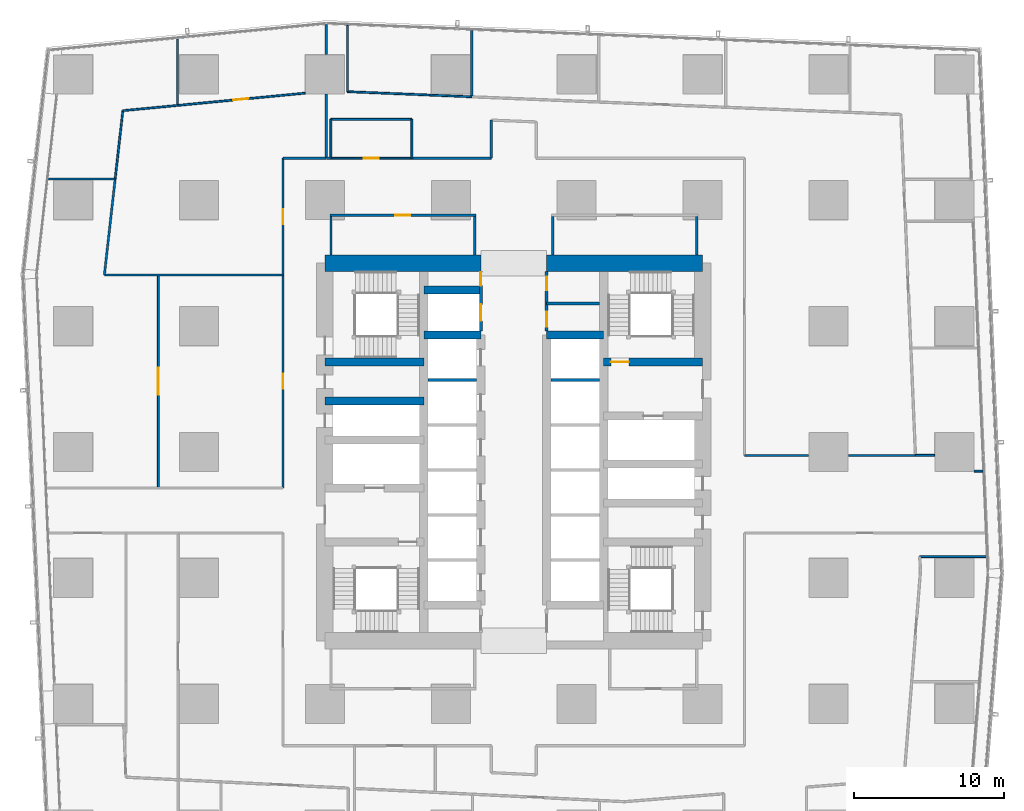
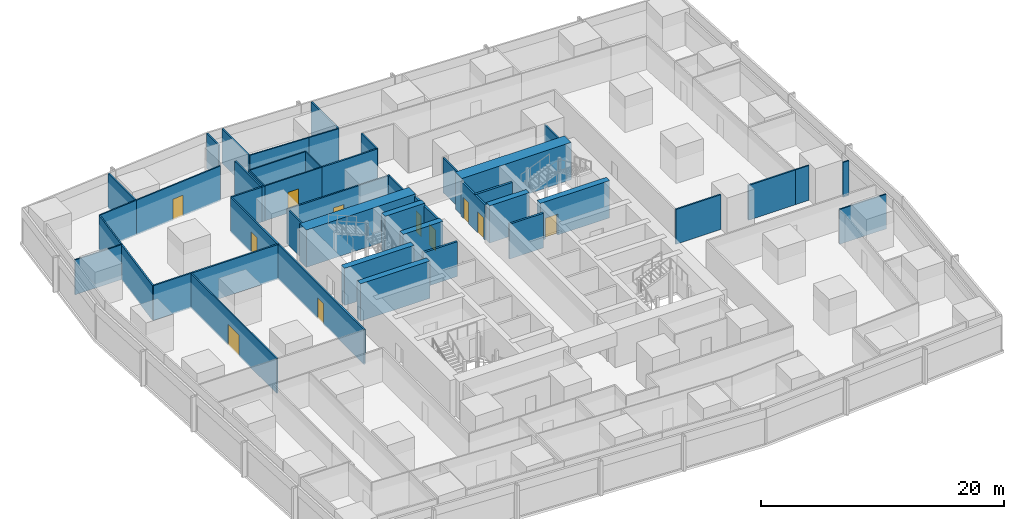
# One storey, part 36 of 46: 47 walls, 11 doors, 11 openings.
"""IFC4 building model written with IfcOpenShell, lengths in metres."""

from ifc_helpers import new_model, si_unit, direction, frame, frame_2d, origin, place, context, subcontext, project, spatial, rectangle, extrude, material, layer, layer_set, type_object, element, fill, save


model = new_model("IFC4")

# Units and contexts
model_context = context("Model", 3, precision=1e-05, world=origin(), true_north=direction((0.0, 1.0)))
body_context = subcontext(model_context, "Body", "Model", "MODEL_VIEW")
ifc_project = project(units=[si_unit("LENGTHUNIT", "METRE"), si_unit("AREAUNIT", "SQUARE_METRE"), si_unit("VOLUMEUNIT", "CUBIC_METRE"), si_unit("PLANEANGLEUNIT", "RADIAN"), si_unit("MASSUNIT", "GRAM", prefix="KILO")], contexts=[model_context])

# Site, building, storey
site_placement = place(None, origin())
site = spatial("IfcSite", under=ifc_project, at=site_placement, CompositionType="ELEMENT")
building_placement = place(site_placement, origin())
building = spatial("IfcBuilding", under=site, at=building_placement, Name="Rekha Terrace Tower", CompositionType="ELEMENT")
storey_placement = place(building_placement, frame((0.0, 0.0, 29.14990234375)))
storey = spatial("IfcBuildingStorey", under=building, at=storey_placement, Name="L06", CompositionType="ELEMENT", Elevation=29.14990234375)

# Walls
ifc_material_1 = material(Name="Concrete M70", Category="concrete")
ifc_layer_1 = layer(ifc_material_1, 0.550048828125)
ifc_layer_set_1 = layer_set([ifc_layer_1], Name="Concrete M70")
wall_type_1 = type_object("IfcWallType", Name="CI1 550 core internal shear wall", PredefinedType="SHEAR", material=ifc_layer_set_1)
for number, where, z_axis, x_axis, name in (
    (1, (31.800048828125, 41.39990234375, 0.0), (0.0, 0.0, 1.0), (1.0, 0.0, 0.0), "Core wall Y414W L06"),
    (2, (31.800048828125, 44.39990234375, 0.0), (0.0, 0.0, 1.0), (1.0, 0.0, 0.0), "Core wall Y444W L06"),
    (3, (40.0, 41.39990234375, 0.0), (0.0, 0.0, 1.0), (1.0, 0.0, 0.0), "Core wall Y414E L06"),
):
    element("IfcWall", number, at=place(storey_placement, frame(where, z_axis=z_axis, x_axis=x_axis)), inside=storey, type_object=wall_type_1, Name=name, PredefinedType="SHEAR", context=body_context, shape_type="SweptSolid", body=[
        extrude(rectangle(XDim=3.800048828125, YDim=0.550048828125, at=frame_2d((1.89990234375, 0.0))), origin(), (0.0, 0.0, 1.0), 3.75),
    ])
for number, where, z_axis, x_axis, name in (
    (4, (25.199951171875, 37.0, 0.0), (0.0, 0.0, 1.0), (1.0, 0.0, 0.0), "Core wall Y370W L06"),
    (5, (25.199951171875, 39.60009765625, 0.0), (0.0, 0.0, 1.0), (1.0, 0.0, 0.0), "Core wall Y396W L06"),
):
    element("IfcWall", number, at=place(storey_placement, frame(where, z_axis=z_axis, x_axis=x_axis)), inside=storey, type_object=wall_type_1, Name=name, PredefinedType="SHEAR", context=body_context, shape_type="SweptSolid", body=[
        extrude(rectangle(XDim=6.60009765625, YDim=0.550048828125, at=frame_2d((3.300048828125, 0.0))), origin(), (0.0, 0.0, 1.0), 3.75),
    ])

# Wall, opening, door
wall_1_placement = place(storey_placement, frame((43.800048828125, 39.60009765625, 0.0), z_axis=(0.0, 0.0, 1.0), x_axis=(1.0, 0.0, 0.0)))
wall_1 = element("IfcWall", 6, at=wall_1_placement, inside=storey, type_object=wall_type_1, Name="Core wall Y396E L06", PredefinedType="SHEAR", context=body_context, shape_type="SweptSolid", body=[
    extrude(rectangle(XDim=6.599853515625, YDim=0.550048828125, at=frame_2d((3.2998046875, 0.0))), origin(), (0.0, 0.0, 1.0), 3.75),
])
opening_1_placement = place(wall_1_placement, frame((0.47509765625, 0.0, 0.0)))
opening_1 = element("IfcOpeningElement", 7, at=opening_1_placement, cuts=wall_1, Name="Opening D1", PredefinedType="OPENING", context=body_context, shape_type="SweptSolid", body=[
    extrude(rectangle(XDim=1.199951171875, YDim=2.10009765625, at=frame_2d((0.60009765625, 1.050048828125))), frame((0.0, 0.284912109375, 0.0), z_axis=(0.0, -1.0, 0.0), x_axis=(1.0, 0.0, 0.0)), (0.0, 0.0, 1.0), 0.570068359375),
])
ifc_material_2 = material(Name="Steel fire door", Category="steel")
door_type_1 = type_object("IfcDoorType", Name="D1 1200x2100 stair fire door", OperationType="SINGLE_SWING_RIGHT", PredefinedType="DOOR", material=ifc_material_2)
door_1_placement = place(opening_1_placement, origin())
door_1 = element("IfcDoor", 8, at=door_1_placement, inside=storey, type_object=door_type_1, Name="Stair ST2 door L06", OperationType="SINGLE_SWING_RIGHT", OverallHeight=2.10009765625, OverallWidth=1.199951171875, PredefinedType="DOOR", context=body_context, shape_type="SweptSolid", body=[
    extrude(rectangle(XDim=1.199951171875, YDim=2.10009765625, at=frame_2d((0.60009765625, 1.050048828125))), frame((0.0, 0.02490234375, 0.0), z_axis=(0.0, -1.0, 0.0), x_axis=(1.0, 0.0, 0.0)), (0.0, 0.0, 1.0), 0.050048828125),
])
fill(opening_1, door_1)

# Walls
ifc_layer_2 = layer(ifc_material_1, 1.10009765625)
ifc_layer_set_2 = layer_set([ifc_layer_2], Name="Concrete M70")
wall_type_2 = type_object("IfcWallType", Name="SW1 1100 core outer shear wall", PredefinedType="SHEAR", material=ifc_layer_set_2)
wall_2_placement = place(storey_placement, frame((25.199951171875, 46.199951171875, 0.0), z_axis=(0.0, 0.0, 1.0), x_axis=(1.0, 0.0, 0.0)))
element("IfcWall", 9, at=wall_2_placement, inside=storey, type_object=wall_type_2, Name="Core wall N1 L06", PredefinedType="SHEAR", context=body_context, shape_type="SweptSolid", body=[
    extrude(rectangle(XDim=10.400146484375, YDim=1.10009765625, at=frame_2d((5.2001953125, 0.0))), origin(), (0.0, 0.0, 1.0), 3.75),
])
wall_3_placement = place(storey_placement, frame((40.0, 46.199951171875, 0.0), z_axis=(0.0, 0.0, 1.0), x_axis=(1.0, 0.0, 0.0)))
element("IfcWall", 10, at=wall_3_placement, inside=storey, type_object=wall_type_2, Name="Core wall N2 L06", PredefinedType="SHEAR", context=body_context, shape_type="SweptSolid", body=[
    extrude(rectangle(XDim=10.39990234375, YDim=1.10009765625, at=frame_2d((5.199951171875, 0.0))), origin(), (0.0, 0.0, 1.0), 3.75),
])
ifc_material_3 = material(Name="Concrete block masonry, 1 hour", Category="masonry")
ifc_layer_3 = layer(ifc_material_3, 0.14990234375)
ifc_layer_set_3 = layer_set([ifc_layer_3], Name="Concrete block masonry, 1 hour")
wall_type_3 = type_object("IfcWallType", Name="WP2 150 tenancy partition", PredefinedType="PARTITIONING", material=ifc_layer_set_3)
for number, where, z_axis, x_axis, name in (
    (11, (40.39990234375, 46.75, 0.0), (0.0, 0.0, 1.0), (0.0, 1.0, 0.0), "Women's WC wall L06"),
    (12, (50.0, 46.75, 0.0), (0.0, 0.0, 1.0), (0.0, 1.0, 0.0), "Women's WC wall L06"),
):
    element("IfcWall", number, at=place(storey_placement, frame(where, z_axis=z_axis, x_axis=x_axis)), inside=storey, type_object=wall_type_3, Name=name, PredefinedType="PARTITIONING", context=body_context, shape_type="SweptSolid", body=[
        extrude(rectangle(XDim=2.574951171875, YDim=0.14990234375, at=frame_2d((1.28759765625, 0.0))), origin(), (0.0, 0.0, 1.0), 3.5),
    ])

# Wall, opening, door
wall_4_placement = place(storey_placement, frame((25.52490234375, 49.39990234375, 0.0), z_axis=(0.0, 0.0, 1.0), x_axis=(1.0, 0.0, 0.0)))
wall_4 = element("IfcWall", 13, at=wall_4_placement, inside=storey, type_object=wall_type_3, Name="Women's WC wall L06", PredefinedType="PARTITIONING", context=body_context, shape_type="SweptSolid", body=[
    extrude(rectangle(XDim=9.75, YDim=0.14990234375, at=frame_2d((4.875, 0.0))), origin(), (0.0, 0.0, 1.0), 3.5),
])
opening_2_placement = place(wall_4_placement, frame((4.375, 0.0, 0.0)))
opening_2 = element("IfcOpeningElement", 14, at=opening_2_placement, cuts=wall_4, Name="Opening D3", PredefinedType="OPENING", context=body_context, shape_type="SweptSolid", body=[
    extrude(rectangle(XDim=1.0, YDim=2.10009765625, at=frame_2d((0.5, 1.050048828125))), frame((0.0, 0.0849609375, 0.0), z_axis=(0.0, -1.0, 0.0), x_axis=(1.0, 0.0, 0.0)), (0.0, 0.0, 1.0), 0.169921875),
])
ifc_material_4 = material(Name="Laminated timber fire door", Category="wood")
door_type_2 = type_object("IfcDoorType", Name="D3 1000x2100 WC door", OperationType="SINGLE_SWING_LEFT", PredefinedType="DOOR", material=ifc_material_4)
door_2_placement = place(opening_2_placement, origin())
door_2 = element("IfcDoor", 15, at=door_2_placement, inside=storey, type_object=door_type_2, Name="Door women's wc L06", OperationType="SINGLE_SWING_LEFT", OverallHeight=2.10009765625, OverallWidth=1.0, PredefinedType="DOOR", context=body_context, shape_type="SweptSolid", body=[
    extrude(rectangle(XDim=1.0, YDim=2.10009765625, at=frame_2d((0.5, 1.050048828125))), frame((0.0, 0.02490234375, 0.0), z_axis=(0.0, -1.0, 0.0), x_axis=(1.0, 0.0, 0.0)), (0.0, 0.0, 1.0), 0.050048828125),
])
fill(opening_2, door_2)

# Walls
for number, where, z_axis, x_axis, name in (
    (16, (25.60009765625, 46.75, 0.0), (0.0, 0.0, 1.0), (0.0, 1.0, 0.0), "Women's WC wall L06"),
    (17, (35.199951171875, 46.75, 0.0), (0.0, 0.0, 1.0), (0.0, 1.0, 0.0), "Women's WC wall L06"),
):
    element("IfcWall", number, at=place(storey_placement, frame(where, z_axis=z_axis, x_axis=x_axis)), inside=storey, type_object=wall_type_3, Name=name, PredefinedType="PARTITIONING", context=body_context, shape_type="SweptSolid", body=[
        extrude(rectangle(XDim=2.574951171875, YDim=0.14990234375, at=frame_2d((1.28759765625, 0.0))), origin(), (0.0, 0.0, 1.0), 3.5),
    ])
wall_5_placement = place(storey_placement, frame((36.300048828125, 55.742919921875, 0.0), z_axis=(0.0, 0.0, 1.0), x_axis=(0.0, -1.0, 0.0)))
element("IfcWall", 18, at=wall_5_placement, inside=storey, type_object=wall_type_3, Name="Partition L06-O2", PredefinedType="PARTITIONING", context=body_context, shape_type="SweptSolid", body=[
    extrude(rectangle(XDim=2.54296875, YDim=0.14990234375, at=frame_2d((1.271484375, 0.0))), origin(), (0.0, 0.0, 1.0), 3.5),
])
wall_6_placement = place(storey_placement, frame((36.300048828125, 53.199951171875, 0.0), z_axis=(0.0, 0.0, 1.0), x_axis=(-1.0, 0.0, 0.0)))
element("IfcWall", 19, at=wall_6_placement, inside=storey, type_object=wall_type_3, Name="Partition L06-O2", PredefinedType="PARTITIONING", context=body_context, shape_type="SweptSolid", body=[
    extrude(rectangle(XDim=5.300048828125, YDim=0.14990234375, at=frame_2d((2.64990234375, 0.0))), origin(), (0.0, 0.0, 1.0), 3.5),
])
wall_7_placement = place(storey_placement, frame((25.60009765625, 53.199951171875, 0.0), z_axis=(0.0, 0.0, 1.0), x_axis=(-1.0, 0.0, 0.0)))
element("IfcWall", 20, at=wall_7_placement, inside=storey, type_object=wall_type_3, Name="Partition L06-O2", PredefinedType="PARTITIONING", context=body_context, shape_type="SweptSolid", body=[
    extrude(rectangle(XDim=0.30908203125, YDim=0.14990234375, at=frame_2d((0.154541015625, 0.0))), origin(), (0.0, 0.0, 1.0), 3.5),
])
wall_8_placement = place(storey_placement, frame((25.291015625, 53.199951171875, 0.0), z_axis=(0.0, 0.0, 1.0), x_axis=(0.0, 1.0, 0.0)))
element("IfcWall", 21, at=wall_8_placement, inside=storey, type_object=wall_type_3, Name="Partition L06-O2", PredefinedType="PARTITIONING", context=body_context, shape_type="SweptSolid", body=[
    extrude(rectangle(XDim=4.280029296875, YDim=0.14990234375, at=frame_2d((2.14013671875, 0.0))), origin(), (0.0, 0.0, 1.0), 3.5),
])
wall_9_placement = place(storey_placement, frame((25.291015625, 60.1201171875, 0.0), z_axis=(0.0, 0.0, 1.0), x_axis=(0.0, 1.0, 0.0)))
element("IfcWall", 22, at=wall_9_placement, inside=storey, type_object=wall_type_3, Name="Partition L06-O2", PredefinedType="PARTITIONING", context=body_context, shape_type="SweptSolid", body=[
    extrude(rectangle(XDim=1.995849609375, YDim=0.14990234375, at=frame_2d((0.998046875, 0.0))), origin(), (0.0, 0.0, 1.0), 3.5),
])
wall_10_placement = place(storey_placement, frame((34.9990234375, 57.360107421875, 0.0), z_axis=(0.0, 0.0, 1.0), x_axis=(0.0, 1.0, 0.0)))
element("IfcWall", 23, at=wall_10_placement, inside=storey, type_object=wall_type_3, Name="Partition L06-O2", PredefinedType="PARTITIONING", context=body_context, shape_type="SweptSolid", body=[
    extrude(rectangle(XDim=4.36083984375, YDim=0.14990234375, at=frame_2d((2.180419921875, 0.0))), origin(), (0.0, 0.0, 1.0), 3.5),
])
wall_11_placement = place(storey_placement, frame((64.597900390625, 33.3720703125, 0.0), z_axis=(0.0, 0.0, 1.0), x_axis=(-1.0, 0.0, 0.0)))
element("IfcWall", 24, at=wall_11_placement, inside=storey, type_object=wall_type_3, Name="Partition L06-O2", PredefinedType="PARTITIONING", context=body_context, shape_type="SweptSolid", body=[
    extrude(rectangle(XDim=4.477783203125, YDim=0.14990234375, at=frame_2d((2.23876953125, 0.0))), origin(), (0.0, 0.0, 1.0), 3.5),
])
wall_12_placement = place(storey_placement, frame((57.47998046875, 33.3720703125, 0.0), z_axis=(0.0, 0.0, 1.0), x_axis=(-1.0, 0.0, 0.0)))
element("IfcWall", 25, at=wall_12_placement, inside=storey, type_object=wall_type_3, Name="Partition L06-O2", PredefinedType="PARTITIONING", context=body_context, shape_type="SweptSolid", body=[
    extrude(rectangle(XDim=4.280029296875, YDim=0.14990234375, at=frame_2d((2.14013671875, 0.0))), origin(), (0.0, 0.0, 1.0), 3.5),
])
wall_13_placement = place(storey_placement, frame((10.488037109375, 45.412109375, 0.0), z_axis=(0.0, 0.0, 1.0), x_axis=(0.111741452635, 0.993737313259, 0.0)))
element("IfcWall", 26, at=wall_13_placement, inside=storey, type_object=wall_type_3, Name="Partition L06-O3", PredefinedType="PARTITIONING", context=body_context, shape_type="SweptSolid", body=[
    extrude(rectangle(XDim=6.443115234375, YDim=0.14990234375, at=frame_2d((3.2216796875, 0.0))), origin(), (0.0, 0.0, 1.0), 3.5),
])
wall_14_placement = place(storey_placement, frame((15.3740234375, 56.73193359375, 0.0), z_axis=(0.0, 0.0, 1.0), x_axis=(0.0, 1.0, 0.0)))
element("IfcWall", 27, at=wall_14_placement, inside=storey, type_object=wall_type_3, Name="Partition L06-O3", PredefinedType="PARTITIONING", context=body_context, shape_type="SweptSolid", body=[
    extrude(rectangle(XDim=4.43115234375, YDim=0.14990234375, at=frame_2d((2.215576171875, 0.0))), origin(), (0.0, 0.0, 1.0), 3.5),
])
wall_15_placement = place(storey_placement, frame((25.2900390625, 53.199951171875, 0.0), z_axis=(0.0, 0.0, 1.0), x_axis=(-1.0, 0.0, 0.0)))
element("IfcWall", 28, at=wall_15_placement, inside=storey, type_object=wall_type_3, Name="Partition L06-O3", PredefinedType="PARTITIONING", context=body_context, shape_type="SweptSolid", body=[
    extrude(rectangle(XDim=2.89013671875, YDim=0.14990234375, at=frame_2d((1.445068359375, 0.0))), origin(), (0.0, 0.0, 1.0), 3.5),
])

# Wall, opening, door
wall_16_placement = place(storey_placement, frame((22.39990234375, 53.199951171875, 0.0), z_axis=(0.0, 0.0, 1.0), x_axis=(0.0, -1.0, 0.0)))
wall_16 = element("IfcWall", 29, at=wall_16_placement, inside=storey, type_object=wall_type_3, Name="Partition L06-O3", PredefinedType="PARTITIONING", context=body_context, shape_type="SweptSolid", body=[
    extrude(rectangle(XDim=7.787841796875, YDim=0.14990234375, at=frame_2d((3.89404296875, 0.0))), origin(), (0.0, 0.0, 1.0), 3.5),
])
opening_3_placement = place(wall_16_placement, frame((3.39404296875, 0.0, 0.0)))
opening_3 = element("IfcOpeningElement", 30, at=opening_3_placement, cuts=wall_16, Name="Opening D9", PredefinedType="OPENING", context=body_context, shape_type="SweptSolid", body=[
    extrude(rectangle(XDim=1.0, YDim=2.10009765625, at=frame_2d((0.5, 1.050048828125))), frame((0.0, 0.0849609375, 0.0), z_axis=(0.0, -1.0, 0.0), x_axis=(1.0, 0.0, 0.0)), (0.0, 0.0, 1.0), 0.169921875),
])
ifc_material_5 = material(Name="Timber fire door", Category="wood")
door_type_3 = type_object("IfcDoorType", Name="D9 1000x2100 office door", OperationType="SINGLE_SWING_LEFT", PredefinedType="DOOR", material=ifc_material_5)
door_3_placement = place(opening_3_placement, origin())
door_3 = element("IfcDoor", 31, at=door_3_placement, inside=storey, type_object=door_type_3, Name="Door open-plan office L06", OperationType="SINGLE_SWING_LEFT", OverallHeight=2.10009765625, OverallWidth=1.0, PredefinedType="DOOR", context=body_context, shape_type="SweptSolid", body=[
    extrude(rectangle(XDim=1.0, YDim=2.10009765625, at=frame_2d((0.5, 1.050048828125))), frame((0.0, 0.02490234375, 0.0), z_axis=(0.0, -1.0, 0.0), x_axis=(1.0, 0.0, 0.0)), (0.0, 0.0, 1.0), 0.050048828125),
])
fill(opening_3, door_3)

# Wall
wall_17_placement = place(storey_placement, frame((22.39990234375, 45.412109375, 0.0), z_axis=(0.0, 0.0, 1.0), x_axis=(-1.0, 0.0, 0.0)))
element("IfcWall", 32, at=wall_17_placement, inside=storey, type_object=wall_type_3, Name="Partition L06-O3", PredefinedType="PARTITIONING", context=body_context, shape_type="SweptSolid", body=[
    extrude(rectangle(XDim=11.911865234375, YDim=0.14990234375, at=frame_2d((5.9560546875, 0.0))), origin(), (0.0, 0.0, 1.0), 3.5),
])

# Wall, opening, door
wall_18_placement = place(storey_placement, frame((22.39990234375, 45.410888671875, 0.0), z_axis=(0.0, 0.0, 1.0), x_axis=(0.0, -1.0, 0.0)))
wall_18 = element("IfcWall", 33, at=wall_18_placement, inside=storey, type_object=wall_type_3, Name="Partition L06-O4", PredefinedType="PARTITIONING", context=body_context, shape_type="SweptSolid", body=[
    extrude(rectangle(XDim=14.2109375, YDim=0.14990234375, at=frame_2d((7.10546875, 0.0))), origin(), (0.0, 0.0, 1.0), 3.5),
])
opening_4_placement = place(wall_18_placement, frame((6.60595703125, 0.0, 0.0)))
opening_4 = element("IfcOpeningElement", 34, at=opening_4_placement, cuts=wall_18, Name="Opening D9", PredefinedType="OPENING", context=body_context, shape_type="SweptSolid", body=[
    extrude(rectangle(XDim=1.0, YDim=2.10009765625, at=frame_2d((0.5, 1.050048828125))), frame((0.0, 0.0849609375, 0.0), z_axis=(0.0, -1.0, 0.0), x_axis=(1.0, 0.0, 0.0)), (0.0, 0.0, 1.0), 0.169921875),
])
door_4_placement = place(opening_4_placement, origin())
door_4 = element("IfcDoor", 35, at=door_4_placement, inside=storey, type_object=door_type_3, Name="Door open-plan office L06", OperationType="SINGLE_SWING_LEFT", OverallHeight=2.10009765625, OverallWidth=1.0, PredefinedType="DOOR", context=body_context, shape_type="SweptSolid", body=[
    extrude(rectangle(XDim=1.0, YDim=2.10009765625, at=frame_2d((0.5, 1.050048828125))), frame((0.0, 0.02490234375, 0.0), z_axis=(0.0, -1.0, 0.0), x_axis=(1.0, 0.0, 0.0)), (0.0, 0.0, 1.0), 0.050048828125),
])
fill(opening_4, door_4)

# Walls
ifc_material_6 = material(Name="Two layers of fire-rated gypsum board each side on steel studs, acoustic quilt, 1 hour", Category="steel")
ifc_layer_4 = layer(ifc_material_6, 0.125)
ifc_layer_set_4 = layer_set([ifc_layer_4], Name="Two layers of fire-rated gypsum board each side on steel studs, acoustic quilt, 1 hour")
wall_type_4 = type_object("IfcWallType", Name="WP3 125 office partition", PredefinedType="PARTITIONING", material=ifc_layer_set_4)
wall_19_placement = place(storey_placement, frame((64.886962890625, 26.6201171875, 0.0), z_axis=(0.0, 0.0, 1.0), x_axis=(1.0, 0.0, 0.0)))
element("IfcWall", 36, at=wall_19_placement, inside=storey, type_object=wall_type_4, Name="Partition L06-02", PredefinedType="PARTITIONING", context=body_context, shape_type="SweptSolid", body=[
    extrude(rectangle(XDim=4.4541015625, YDim=0.125, at=frame_2d((2.22705078125, 0.0))), origin(), (0.0, 0.0, 1.0), 3.5),
])
wall_20_placement = place(storey_placement, frame((69.096923828125, 32.324951171875, 0.0), z_axis=(0.0, 0.0, 1.0), x_axis=(-1.0, 0.0, 0.0)))
element("IfcWall", 37, at=wall_20_placement, inside=storey, type_object=wall_type_4, Name="Partition L06-05", PredefinedType="PARTITIONING", context=body_context, shape_type="SweptSolid", body=[
    extrude(rectangle(XDim=0.576904296875, YDim=0.125, at=frame_2d((0.28857421875, 0.0))), origin(), (0.0, 0.0, 1.0), 3.5),
])
wall_21_placement = place(storey_placement, frame((65.8798828125, 33.3720703125, 0.0), z_axis=(0.0, 0.0, 1.0), x_axis=(-1.0, 0.0, 0.0)))
element("IfcWall", 38, at=wall_21_placement, inside=storey, type_object=wall_type_4, Name="Partition L06-05", PredefinedType="PARTITIONING", context=body_context, shape_type="SweptSolid", body=[
    extrude(rectangle(XDim=1.281982421875, YDim=0.125, at=frame_2d((0.64111328125, 0.0))), origin(), (0.0, 0.0, 1.0), 3.5),
])
wall_22_placement = place(storey_placement, frame((35.001953125, 57.297119140625, 0.0), z_axis=(0.0, 0.0, 1.0), x_axis=(-0.999152945321, 0.041150842711, 0.0)))
element("IfcWall", 39, at=wall_22_placement, inside=storey, type_object=wall_type_4, Name="Partition L06-07", PredefinedType="PARTITIONING", context=body_context, shape_type="SweptSolid", body=[
    extrude(rectangle(XDim=2.79443359375, YDim=0.125, at=frame_2d((1.397216796875, 0.0))), origin(), (0.0, 0.0, 1.0), 3.5),
])
wall_23_placement = place(storey_placement, frame((32.2099609375, 57.412109375, 0.0), z_axis=(0.0, 0.0, 1.0), x_axis=(-0.999151115362, 0.041195250585, 0.0)))
element("IfcWall", 40, at=wall_23_placement, inside=storey, type_object=wall_type_4, Name="Partition L06-07", PredefinedType="PARTITIONING", context=body_context, shape_type="SweptSolid", body=[
    extrude(rectangle(XDim=5.505615234375, YDim=0.125, at=frame_2d((2.7529296875, 0.0))), origin(), (0.0, 0.0, 1.0), 3.5),
])
wall_24_placement = place(storey_placement, frame((26.708984375, 57.638916015625, 0.0), z_axis=(0.0, 0.0, 1.0), x_axis=(0.0, 1.0, 0.0)))
element("IfcWall", 41, at=wall_24_placement, inside=storey, type_object=wall_type_4, Name="Partition L06-07", PredefinedType="PARTITIONING", context=body_context, shape_type="SweptSolid", body=[
    extrude(rectangle(XDim=4.424072265625, YDim=0.125, at=frame_2d((2.2119140625, 0.0))), origin(), (0.0, 0.0, 1.0), 3.5),
])
wall_25_placement = place(storey_placement, frame((25.60009765625, 55.794921875, 0.0), z_axis=(0.0, 0.0, 1.0), x_axis=(1.0, 0.0, 0.0)))
element("IfcWall", 42, at=wall_25_placement, inside=storey, type_object=wall_type_4, Name="Partition L06-08", PredefinedType="PARTITIONING", context=body_context, shape_type="SweptSolid", body=[
    extrude(rectangle(XDim=5.39990234375, YDim=0.125, at=frame_2d((2.699951171875, 0.0))), origin(), (0.0, 0.0, 1.0), 3.5),
])
wall_26_placement = place(storey_placement, frame((31.0, 55.794921875, 0.0), z_axis=(0.0, 0.0, 1.0), x_axis=(0.0, -1.0, 0.0)))
element("IfcWall", 43, at=wall_26_placement, inside=storey, type_object=wall_type_4, Name="Partition L06-08", PredefinedType="PARTITIONING", context=body_context, shape_type="SweptSolid", body=[
    extrude(rectangle(XDim=2.594970703125, YDim=0.125, at=frame_2d((1.29736328125, 0.0))), origin(), (0.0, 0.0, 1.0), 3.5),
])

# Wall, opening, door
wall_27_placement = place(storey_placement, frame((31.0, 53.199951171875, 0.0), z_axis=(0.0, 0.0, 1.0), x_axis=(-1.0, 0.0, 0.0)))
wall_27 = element("IfcWall", 44, at=wall_27_placement, inside=storey, type_object=wall_type_4, Name="Partition L06-08", PredefinedType="PARTITIONING", context=body_context, shape_type="SweptSolid", body=[
    extrude(rectangle(XDim=5.39990234375, YDim=0.125, at=frame_2d((2.699951171875, 0.0))), origin(), (0.0, 0.0, 1.0), 3.5),
])
opening_5_placement = place(wall_27_placement, frame((2.199951171875, 0.0, 0.0)))
opening_5 = element("IfcOpeningElement", 45, at=opening_5_placement, cuts=wall_27, Name="Opening D9", PredefinedType="OPENING", context=body_context, shape_type="SweptSolid", body=[
    extrude(rectangle(XDim=1.0, YDim=2.10009765625, at=frame_2d((0.5, 1.050048828125))), frame((0.0, 0.072509765625, 0.0), z_axis=(0.0, -1.0, 0.0), x_axis=(1.0, 0.0, 0.0)), (0.0, 0.0, 1.0), 0.14501953125),
])
door_5_placement = place(opening_5_placement, origin())
door_5 = element("IfcDoor", 46, at=door_5_placement, inside=storey, type_object=door_type_3, Name="Door reception L06", OperationType="SINGLE_SWING_LEFT", OverallHeight=2.10009765625, OverallWidth=1.0, PredefinedType="DOOR", context=body_context, shape_type="SweptSolid", body=[
    extrude(rectangle(XDim=1.0, YDim=2.10009765625, at=frame_2d((0.5, 1.050048828125))), frame((0.0, 0.02490234375, 0.0), z_axis=(0.0, -1.0, 0.0), x_axis=(1.0, 0.0, 0.0)), (0.0, 0.0, 1.0), 0.050048828125),
])
fill(opening_5, door_5)

# Walls
wall_28_placement = place(storey_placement, frame((25.60009765625, 53.199951171875, 0.0), z_axis=(0.0, 0.0, 1.0), x_axis=(0.0, 1.0, 0.0)))
element("IfcWall", 47, at=wall_28_placement, inside=storey, type_object=wall_type_4, Name="Partition L06-08", PredefinedType="PARTITIONING", context=body_context, shape_type="SweptSolid", body=[
    extrude(rectangle(XDim=2.594970703125, YDim=0.125, at=frame_2d((1.29736328125, 0.0))), origin(), (0.0, 0.0, 1.0), 3.5),
])
wall_29_placement = place(storey_placement, frame((11.2080078125, 51.81591796875, 0.0), z_axis=(0.0, 0.0, 1.0), x_axis=(-1.0, 0.0, 0.0)))
element("IfcWall", 48, at=wall_29_placement, inside=storey, type_object=wall_type_4, Name="Partition L06-09", PredefinedType="PARTITIONING", context=body_context, shape_type="SweptSolid", body=[
    extrude(rectangle(XDim=4.47900390625, YDim=0.125, at=frame_2d((2.239501953125, 0.0))), origin(), (0.0, 0.0, 1.0), 3.5),
])

# Wall, opening, door
wall_30_placement = place(storey_placement, frame((23.8798828125, 57.541015625, 0.0), z_axis=(0.0, 0.0, 1.0), x_axis=(-0.995394358863, -0.095864854575, 0.0)))
wall_30 = element("IfcWall", 49, at=wall_30_placement, inside=storey, type_object=wall_type_4, Name="Partition L06-09", PredefinedType="PARTITIONING", context=body_context, shape_type="SweptSolid", body=[
    extrude(rectangle(XDim=8.544189453125, YDim=0.125, at=frame_2d((4.27197265625, 0.0))), origin(), (0.0, 0.0, 1.0), 3.5),
])
opening_6_placement = place(wall_30_placement, frame((3.806884765625, 0.0, 0.0)))
opening_6 = element("IfcOpeningElement", 50, at=opening_6_placement, cuts=wall_30, Name="Opening D9", PredefinedType="OPENING", context=body_context, shape_type="SweptSolid", body=[
    extrude(rectangle(XDim=1.0, YDim=2.10009765625, at=frame_2d((0.5, 1.050048828125))), frame((0.0, 0.072509765625, 0.0), z_axis=(0.0, -1.0, 0.0), x_axis=(1.0, 0.0, 0.0)), (0.0, 0.0, 1.0), 0.14501953125),
])
door_6_placement = place(opening_6_placement, origin())
door_6 = element("IfcDoor", 51, at=door_6_placement, inside=storey, type_object=door_type_3, Name="Door manager's office L06", OperationType="SINGLE_SWING_LEFT", OverallHeight=2.10009765625, OverallWidth=1.0, PredefinedType="DOOR", context=body_context, shape_type="SweptSolid", body=[
    extrude(rectangle(XDim=1.0, YDim=2.10009765625, at=frame_2d((0.5, 1.050048828125))), frame((0.0, 0.02490234375, 0.0), z_axis=(0.0, -1.0, 0.0), x_axis=(1.0, 0.0, 0.0)), (0.0, 0.0, 1.0), 0.050048828125),
])
fill(opening_6, door_6)

# Walls
wall_31_placement = place(storey_placement, frame((15.375, 56.721923828125, 0.0), z_axis=(0.0, 0.0, 1.0), x_axis=(-0.995424973889, -0.095546435607, 0.0)))
element("IfcWall", 52, at=wall_31_placement, inside=storey, type_object=wall_type_4, Name="Partition L06-09", PredefinedType="PARTITIONING", context=body_context, shape_type="SweptSolid", body=[
    extrude(rectangle(XDim=3.671875, YDim=0.125, at=frame_2d((1.8359375, 0.0))), origin(), (0.0, 0.0, 1.0), 3.5),
])
wall_32_placement = place(storey_placement, frame((11.719970703125, 56.37109375, 0.0), z_axis=(0.0, 0.0, 1.0), x_axis=(-0.11168826691, -0.993743292322, 0.0)))
element("IfcWall", 53, at=wall_32_placement, inside=storey, type_object=wall_type_4, Name="Partition L06-09", PredefinedType="PARTITIONING", context=body_context, shape_type="SweptSolid", body=[
    extrude(rectangle(XDim=4.583740234375, YDim=0.125, at=frame_2d((2.2919921875, 0.0))), origin(), (0.0, 0.0, 1.0), 3.5),
])

# Wall, opening, door
wall_33_placement = place(storey_placement, frame((14.090087890625, 45.3369140625, 0.0), z_axis=(0.0, 0.0, 1.0), x_axis=(0.0, -1.0, 0.0)))
wall_33 = element("IfcWall", 54, at=wall_33_placement, inside=storey, type_object=wall_type_4, Name="Partition L06-10", PredefinedType="PARTITIONING", context=body_context, shape_type="SweptSolid", body=[
    extrude(rectangle(XDim=14.136962890625, YDim=0.125, at=frame_2d((7.068359375, 0.0))), origin(), (0.0, 0.0, 1.0), 3.5),
])
opening_7_placement = place(wall_33_placement, frame((6.131103515625, 0.0, 0.0)))
opening_7 = element("IfcOpeningElement", 55, at=opening_7_placement, cuts=wall_33, Name="Opening D8", PredefinedType="OPENING", context=body_context, shape_type="SweptSolid", body=[
    extrude(rectangle(XDim=1.800048828125, YDim=2.10009765625, at=frame_2d((0.89990234375, 1.050048828125))), frame((0.0, 0.072509765625, 0.0), z_axis=(0.0, -1.0, 0.0), x_axis=(1.0, 0.0, 0.0)), (0.0, 0.0, 1.0), 0.14501953125),
])
door_type_4 = type_object("IfcDoorType", Name="D8 1800x2100 double leaf door", OperationType="DOUBLE_DOOR_SINGLE_SWING", PredefinedType="DOOR", material=ifc_material_5)
door_7_placement = place(opening_7_placement, origin())
door_7 = element("IfcDoor", 56, at=door_7_placement, inside=storey, type_object=door_type_4, Name="Door print room L06", OperationType="DOUBLE_DOOR_SINGLE_SWING", OverallHeight=2.10009765625, OverallWidth=1.800048828125, PredefinedType="DOOR", context=body_context, shape_type="SweptSolid", body=[
    extrude(rectangle(XDim=1.800048828125, YDim=2.10009765625, at=frame_2d((0.89990234375, 1.050048828125))), frame((0.0, 0.02490234375, 0.0), z_axis=(0.0, -1.0, 0.0), x_axis=(1.0, 0.0, 0.0)), (0.0, 0.0, 1.0), 0.050048828125),
])
fill(opening_7, door_7)

# Walls
ifc_material_7 = material(Name="Solid concrete block masonry, 2 hour", Category="masonry")
ifc_layer_5 = layer(ifc_material_7, 0.199951171875)
ifc_layer_set_5 = layer_set([ifc_layer_5], Name="Solid concrete block masonry, 2 hour")
wall_type_5 = type_object("IfcWallType", Name="WS1 200 stair and shaft enclosure", PredefinedType="PARTITIONING", material=ifc_layer_set_5)
for number, where, z_axis, x_axis, name in (
    (57, (32.074951171875, 38.39990234375, 0.0), (0.0, 0.0, 1.0), (1.0, 0.0, 0.0), "Lift shaft divider L06"),
    (58, (40.27490234375, 38.39990234375, 0.0), (0.0, 0.0, 1.0), (1.0, 0.0, 0.0), "Lift shaft divider L06"),
):
    element("IfcWall", number, at=place(storey_placement, frame(where, z_axis=z_axis, x_axis=x_axis)), inside=storey, type_object=wall_type_5, Name=name, PredefinedType="PARTITIONING", context=body_context, shape_type="SweptSolid", body=[
        extrude(rectangle(XDim=3.25, YDim=0.199951171875, at=frame_2d((1.625, 0.0))), origin(), (0.0, 0.0, 1.0), 3.5),
    ])

# Wall, openings, doors
wall_34_placement = place(storey_placement, frame((40.0, 41.675048828125, 0.0), z_axis=(0.0, 0.0, 1.0), x_axis=(0.0, 1.0, 0.0)))
wall_34 = element("IfcWall", 59, at=wall_34_placement, inside=storey, type_object=wall_type_5, Name="Core partition elec L06", PredefinedType="PARTITIONING", context=body_context, shape_type="SweptSolid", body=[
    extrude(rectangle(XDim=3.974853515625, YDim=0.199951171875, at=frame_2d((1.9873046875, 0.0))), origin(), (0.0, 0.0, 1.0), 3.5),
])
opening_8_placement = place(wall_34_placement, frame((2.72509765625, 0.0, 0.0)))
opening_8 = element("IfcOpeningElement", 60, at=opening_8_placement, cuts=wall_34, Name="Opening D5", PredefinedType="OPENING", context=body_context, shape_type="SweptSolid", body=[
    extrude(rectangle(XDim=0.89990234375, YDim=2.10009765625, at=frame_2d((0.449951171875, 1.050048828125))), frame((0.0, 0.10986328125, 0.0), z_axis=(0.0, -1.0, 0.0), x_axis=(1.0, 0.0, 0.0)), (0.0, 0.0, 1.0), 0.219970703125),
])
opening_9_placement = place(wall_34_placement, frame((0.27490234375, 0.0, 0.0)))
opening_9 = element("IfcOpeningElement", 61, at=opening_9_placement, cuts=wall_34, Name="Opening D9", PredefinedType="OPENING", context=body_context, shape_type="SweptSolid", body=[
    extrude(rectangle(XDim=1.0, YDim=2.10009765625, at=frame_2d((0.5, 1.050048828125))), frame((0.0, 0.10986328125, 0.0), z_axis=(0.0, -1.0, 0.0), x_axis=(1.0, 0.0, 0.0)), (0.0, 0.0, 1.0), 0.219970703125),
])
door_type_5 = type_object("IfcDoorType", Name="D5 900x2100 riser access door", OperationType="SINGLE_SWING_LEFT", PredefinedType="DOOR", material=ifc_material_2)
door_8_placement = place(opening_8_placement, origin())
door_8 = element("IfcDoor", 62, at=door_8_placement, inside=storey, type_object=door_type_5, Name="Door electrical room L06", OperationType="SINGLE_SWING_LEFT", OverallHeight=2.10009765625, OverallWidth=0.89990234375, PredefinedType="DOOR", context=body_context, shape_type="SweptSolid", body=[
    extrude(rectangle(XDim=0.89990234375, YDim=2.10009765625, at=frame_2d((0.449951171875, 1.050048828125))), frame((0.0, 0.02490234375, 0.0), z_axis=(0.0, -1.0, 0.0), x_axis=(1.0, 0.0, 0.0)), (0.0, 0.0, 1.0), 0.050048828125),
])
fill(opening_8, door_8)
door_9_placement = place(opening_9_placement, origin())
door_9 = element("IfcDoor", 63, at=door_9_placement, inside=storey, type_object=door_type_3, Name="Door mail and print room L06", OperationType="SINGLE_SWING_LEFT", OverallHeight=2.10009765625, OverallWidth=1.0, PredefinedType="DOOR", context=body_context, shape_type="SweptSolid", body=[
    extrude(rectangle(XDim=1.0, YDim=2.10009765625, at=frame_2d((0.5, 1.050048828125))), frame((0.0, 0.02490234375, 0.0), z_axis=(0.0, -1.0, 0.0), x_axis=(1.0, 0.0, 0.0)), (0.0, 0.0, 1.0), 0.050048828125),
])
fill(opening_9, door_9)

wall_35_placement = place(storey_placement, frame((35.60009765625, 41.675048828125, 0.0), z_axis=(0.0, 0.0, 1.0), x_axis=(0.0, 1.0, 0.0)))
wall_35 = element("IfcWall", 64, at=wall_35_placement, inside=storey, type_object=wall_type_5, Name="Core partition jansv L06", PredefinedType="PARTITIONING", context=body_context, shape_type="SweptSolid", body=[
    extrude(rectangle(XDim=3.974853515625, YDim=0.199951171875, at=frame_2d((1.9873046875, 0.0))), origin(), (0.0, 0.0, 1.0), 3.5),
])
opening_10_placement = place(wall_35_placement, frame((3.02490234375, 0.0, 0.0)))
opening_10 = element("IfcOpeningElement", 65, at=opening_10_placement, cuts=wall_35, Name="Opening D5", PredefinedType="OPENING", context=body_context, shape_type="SweptSolid", body=[
    extrude(rectangle(XDim=0.89990234375, YDim=2.10009765625, at=frame_2d((0.449951171875, 1.050048828125))), frame((0.0, 0.10986328125, 0.0), z_axis=(0.0, -1.0, 0.0), x_axis=(1.0, 0.0, 0.0)), (0.0, 0.0, 1.0), 0.219970703125),
])
opening_11_placement = place(wall_35_placement, frame((0.675048828125, 0.0, 0.0)))
opening_11 = element("IfcOpeningElement", 66, at=opening_11_placement, cuts=wall_35, Name="Opening LD1", PredefinedType="OPENING", context=body_context, shape_type="SweptSolid", body=[
    extrude(rectangle(XDim=1.10009765625, YDim=2.10009765625, at=frame_2d((0.550048828125, 1.050048828125))), frame((0.0, 0.10986328125, 0.0), z_axis=(0.0, -1.0, 0.0), x_axis=(1.0, 0.0, 0.0)), (0.0, 0.0, 1.0), 0.219970703125),
])
door_10_placement = place(opening_10_placement, origin())
door_10 = element("IfcDoor", 67, at=door_10_placement, inside=storey, type_object=door_type_5, Name="Door janitor room L06", OperationType="SINGLE_SWING_LEFT", OverallHeight=2.10009765625, OverallWidth=0.89990234375, PredefinedType="DOOR", context=body_context, shape_type="SweptSolid", body=[
    extrude(rectangle(XDim=0.89990234375, YDim=2.10009765625, at=frame_2d((0.449951171875, 1.050048828125))), frame((0.0, 0.02490234375, 0.0), z_axis=(0.0, -1.0, 0.0), x_axis=(1.0, 0.0, 0.0)), (0.0, 0.0, 1.0), 0.050048828125),
])
fill(opening_10, door_10)
ifc_material_8 = material(Name="Stainless steel sliding landing door", Category="steel")
door_type_6 = type_object("IfcDoorType", Name="LD1 1100x2100 lift landing door", OperationType="SLIDING_TO_LEFT", PredefinedType="USERDEFINED", material=ifc_material_8)
door_11_placement = place(opening_11_placement, origin())
door_11 = element("IfcDoor", 68, at=door_11_placement, inside=storey, type_object=door_type_6, Name="Lift SV1 landing door L06", ObjectType="LIFT LANDING DOOR", OperationType="SLIDING_TO_LEFT", OverallHeight=2.10009765625, OverallWidth=1.10009765625, PredefinedType="USERDEFINED", context=body_context, shape_type="SweptSolid", body=[
    extrude(rectangle(XDim=1.10009765625, YDim=2.10009765625, at=frame_2d((0.550048828125, 1.050048828125))), frame((0.0, 0.02490234375, 0.0), z_axis=(0.0, -1.0, 0.0), x_axis=(1.0, 0.0, 0.0)), (0.0, 0.0, 1.0), 0.050048828125),
])
fill(opening_11, door_11)

# Wall
wall_36_placement = place(storey_placement, frame((40.0, 43.5, 0.0), z_axis=(0.0, 0.0, 1.0), x_axis=(1.0, 0.0, 0.0)))
element("IfcWall", 69, at=wall_36_placement, inside=storey, type_object=wall_type_5, Name="Core partition elx L06", PredefinedType="PARTITIONING", context=body_context, shape_type="SweptSolid", body=[
    extrude(rectangle(XDim=3.52490234375, YDim=0.199951171875, at=frame_2d((1.762451171875, 0.0))), origin(), (0.0, 0.0, 1.0), 3.5),
])

save(model, "model.ifc")
